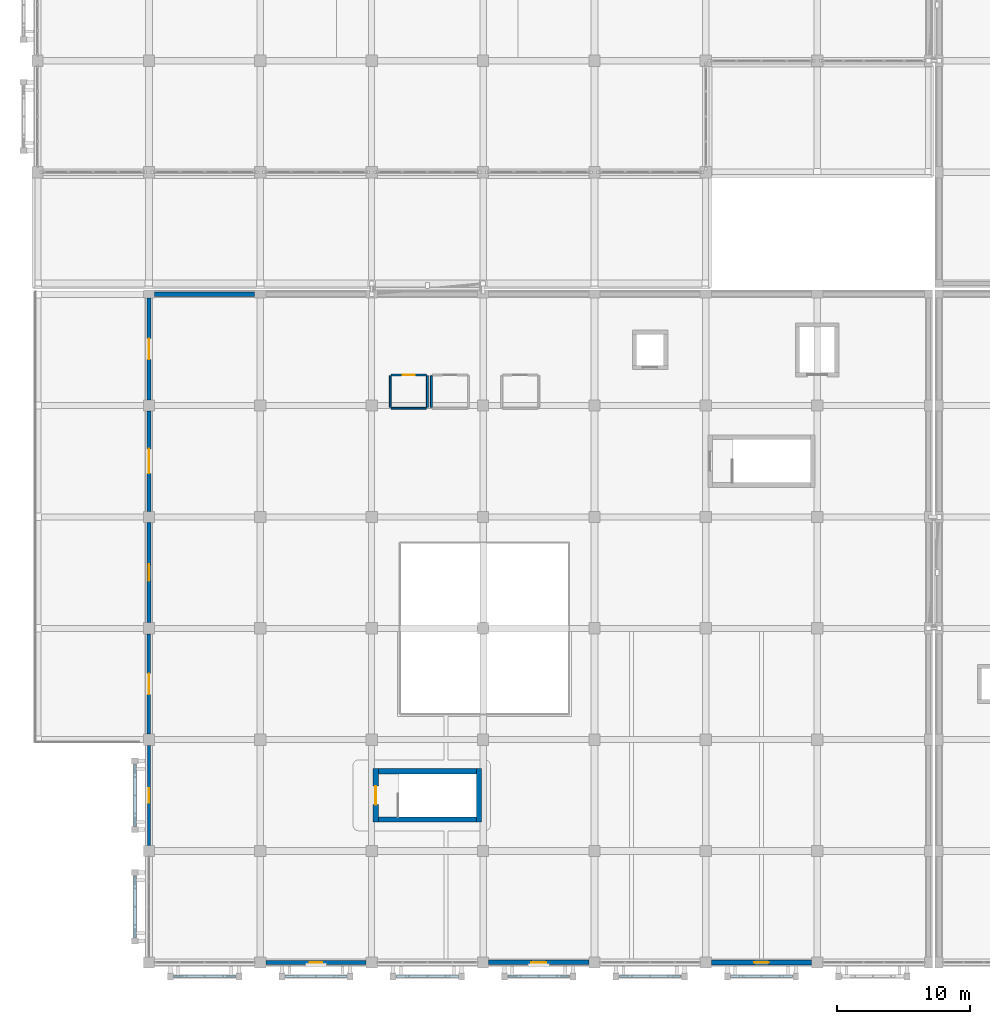
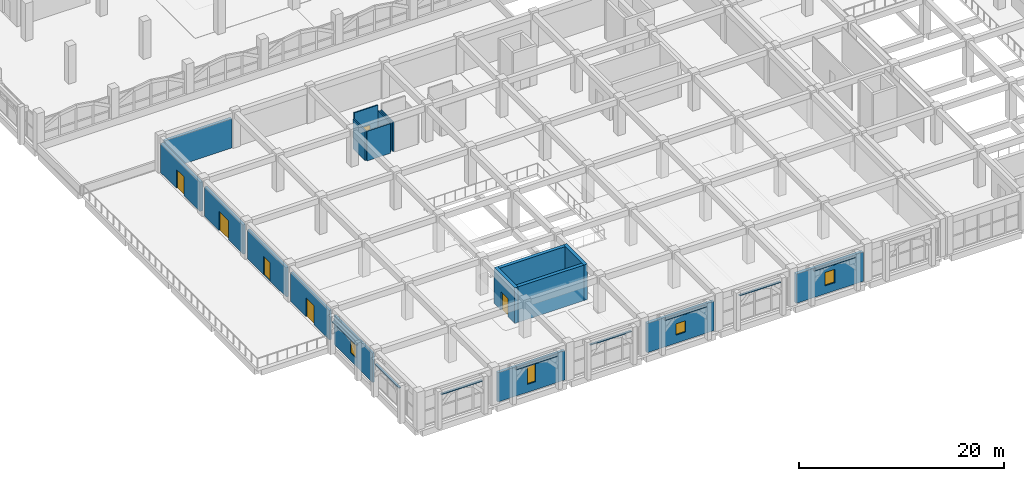
# One storey, part 108 of 129: 26 walls, 6 doors, 4 windows, 10 openings.
"""IFC4 building model written with IfcOpenShell, lengths in metres."""

from ifc_helpers import new_model, si_unit, direction, frame, frame_2d, origin, place, context, subcontext, project, spatial, rectangle, extrude, material, layer, layer_set, type_object, element, fill, save


model = new_model("IFC4")

# Units and contexts
model_context = context("Model", 3, precision=1e-05, world=origin(), true_north=direction((0.0, 1.0)))
body_context = subcontext(model_context, "Body", "Model", "MODEL_VIEW")
ifc_project = project(units=[si_unit("LENGTHUNIT", "METRE"), si_unit("AREAUNIT", "SQUARE_METRE"), si_unit("VOLUMEUNIT", "CUBIC_METRE"), si_unit("PLANEANGLEUNIT", "RADIAN"), si_unit("MASSUNIT", "GRAM", prefix="KILO")], contexts=[model_context])

# Site, building, storey
site_placement = place(None, origin())
site = spatial("IfcSite", under=ifc_project, at=site_placement, CompositionType="ELEMENT")
building_placement = place(site_placement, origin())
building = spatial("IfcBuilding", under=site, at=building_placement, Name="Xazarin Passage Department Store", CompositionType="ELEMENT")
storey_placement = place(building_placement, frame((0.0, 0.0, 9.89990234375)))
storey = spatial("IfcBuildingStorey", under=building, at=storey_placement, Name="L02", CompositionType="ELEMENT", Elevation=9.89990234375)

# Wall, opening, window
ifc_material_1 = material(Name="Precast concrete C40/50", Category="concrete")
ifc_layer_1 = layer(ifc_material_1, 0.239990234375)
ifc_layer_set_1 = layer_set([ifc_layer_1], Name="Precast concrete C40/50")
wall_type_1 = type_object("IfcWallType", Name="ARC-W-EXT240", PredefinedType="SOLIDWALL", material=ifc_layer_set_1)
wall_1_placement = place(storey_placement, frame((8.39990234375, 8.824951171875, 0.0), z_axis=(0.0, 0.0, 1.0), x_axis=(0.0, 1.0, 0.0)))
wall_1 = element("IfcWall", 1, at=wall_1_placement, inside=storey, type_object=wall_type_1, Name="L02 V3 Exterior Wall 236", PredefinedType="SOLIDWALL", context=body_context, shape_type="SweptSolid", body=[
    extrude(rectangle(XDim=7.550048828125, YDim=0.239990234375, at=frame_2d((3.77490234375, 0.0))), origin(), (0.0, 0.0, 1.0), 3.489990234375),
])
opening_1_placement = place(wall_1_placement, frame((3.22509765625, 0.0, 0.949951171875)))
opening_1 = element("IfcOpeningElement", 2, at=opening_1_placement, cuts=wall_1, Name="Opening W07", PredefinedType="OPENING", context=body_context, shape_type="SweptSolid", body=[
    extrude(rectangle(XDim=1.10009765625, YDim=1.85009765625, at=frame_2d((0.550048828125, 0.925048828125))), frame((0.0, 0.1298828125, 0.0), z_axis=(0.0, -1.0, 0.0), x_axis=(1.0, 0.0, 0.0)), (0.0, 0.0, 1.0), 0.260009765625),
])
ifc_material_2 = material(Name="Low-E laminated safety glass", Category="glass")
window_type_1 = type_object("IfcWindowType", Name="ARC-WIN-W07", PartitioningType="SINGLE_PANEL", PredefinedType="WINDOW", material=ifc_material_2)
window_1_placement = place(opening_1_placement, origin())
window_1 = element("IfcWindow", 3, at=window_1_placement, inside=storey, type_object=window_type_1, Name="L02 V3 Facade Window 0055", OverallHeight=1.85009765625, OverallWidth=1.10009765625, PartitioningType="SINGLE_PANEL", PredefinedType="WINDOW", context=body_context, shape_type="SweptSolid", body=[
    extrude(rectangle(XDim=1.10009765625, YDim=1.85009765625, at=frame_2d((0.550048828125, 0.925048828125))), frame((0.0, 0.030029296875, 0.0), z_axis=(0.0, -1.0, 0.0), x_axis=(1.0, 0.0, 0.0)), (0.0, 0.0, 1.0), 0.06005859375),
])
fill(opening_1, window_1)

# Wall, opening, door
ifc_layer_2 = layer(ifc_material_1, 0.260009765625)
ifc_layer_set_2 = layer_set([ifc_layer_2], Name="Precast concrete C40/50")
wall_type_2 = type_object("IfcWallType", Name="ARC-W-EXT260", PredefinedType="SOLIDWALL", material=ifc_layer_set_2)
wall_2_placement = place(storey_placement, frame((8.39990234375, 17.22509765625, 0.0), z_axis=(0.0, 0.0, 1.0), x_axis=(0.0, 1.0, 0.0)))
wall_2 = element("IfcWall", 4, at=wall_2_placement, inside=storey, type_object=wall_type_2, Name="L02 V3 Exterior Wall 237", PredefinedType="SOLIDWALL", context=body_context, shape_type="SweptSolid", body=[
    extrude(rectangle(XDim=7.5498046875, YDim=0.260009765625, at=frame_2d((3.77490234375, 0.0))), origin(), (0.0, 0.0, 1.0), 3.489990234375),
])
opening_2_placement = place(wall_2_placement, frame((3.0, 0.0, 0.0)))
opening_2 = element("IfcOpeningElement", 5, at=opening_2_placement, cuts=wall_2, Name="Opening TD2", PredefinedType="OPENING", context=body_context, shape_type="SweptSolid", body=[
    extrude(rectangle(XDim=1.550048828125, YDim=2.25, at=frame_2d((0.77490234375, 1.125))), frame((0.0, 0.139892578125, 0.0), z_axis=(0.0, -1.0, 0.0), x_axis=(1.0, 0.0, 0.0)), (0.0, 0.0, 1.0), 0.280029296875),
])
ifc_material_3 = material(Name="Bronze anodised aluminium", Category="aluminium")
door_type_1 = type_object("IfcDoorType", Name="ARC-DR-TER155", OperationType="NOTDEFINED", PredefinedType="DOOR", material=ifc_material_3)
door_1_placement = place(opening_2_placement, origin())
door_1 = element("IfcDoor", 6, at=door_1_placement, inside=storey, type_object=door_type_1, Name="DR-TER-L02-020", OperationType="SINGLE_SWING_LEFT", OverallHeight=2.25, OverallWidth=1.550048828125, PredefinedType="DOOR", context=body_context, shape_type="SweptSolid", body=[
    extrude(rectangle(XDim=1.550048828125, YDim=2.25, at=frame_2d((0.77490234375, 1.125))), frame((0.0, 0.02490234375, 0.0), z_axis=(0.0, -1.0, 0.0), x_axis=(1.0, 0.0, 0.0)), (0.0, 0.0, 1.0), 0.050048828125),
])
fill(opening_2, door_1)

ifc_layer_3 = layer(ifc_material_1, 0.280029296875)
ifc_layer_set_3 = layer_set([ifc_layer_3], Name="Precast concrete C40/50")
wall_type_3 = type_object("IfcWallType", Name="ARC-W-EXT280", PredefinedType="SOLIDWALL", material=ifc_layer_set_3)
wall_3_placement = place(storey_placement, frame((8.39990234375, 25.625, 0.0), z_axis=(0.0, 0.0, 1.0), x_axis=(0.0, 1.0, 0.0)))
wall_3 = element("IfcWall", 7, at=wall_3_placement, inside=storey, type_object=wall_type_3, Name="L02 V3 Exterior Wall 238", PredefinedType="SOLIDWALL", context=body_context, shape_type="SweptSolid", body=[
    extrude(rectangle(XDim=7.550048828125, YDim=0.280029296875, at=frame_2d((3.77490234375, 0.0))), origin(), (0.0, 0.0, 1.0), 3.489990234375),
])
opening_3_placement = place(wall_3_placement, frame((3.14990234375, 0.0, 0.0)))
opening_3 = element("IfcOpeningElement", 8, at=opening_3_placement, cuts=wall_3, Name="Opening TD3", PredefinedType="OPENING", context=body_context, shape_type="SweptSolid", body=[
    extrude(rectangle(XDim=1.25, YDim=2.199951171875, at=frame_2d((0.625, 1.10009765625))), frame((0.0, 0.14990234375, 0.0), z_axis=(0.0, -1.0, 0.0), x_axis=(1.0, 0.0, 0.0)), (0.0, 0.0, 1.0), 0.300048828125),
])
door_type_2 = type_object("IfcDoorType", Name="ARC-DR-TER125", OperationType="NOTDEFINED", PredefinedType="DOOR", material=ifc_material_3)
door_2_placement = place(opening_3_placement, origin())
door_2 = element("IfcDoor", 9, at=door_2_placement, inside=storey, type_object=door_type_2, Name="DR-TER-L02-021", OperationType="SINGLE_SWING_RIGHT", OverallHeight=2.199951171875, OverallWidth=1.25, PredefinedType="DOOR", context=body_context, shape_type="SweptSolid", body=[
    extrude(rectangle(XDim=1.25, YDim=2.199951171875, at=frame_2d((0.625, 1.10009765625))), frame((0.0, 0.02490234375, 0.0), z_axis=(0.0, -1.0, 0.0), x_axis=(1.0, 0.0, 0.0)), (0.0, 0.0, 1.0), 0.050048828125),
])
fill(opening_3, door_2)

ifc_layer_4 = layer(ifc_material_1, 0.300048828125)
ifc_layer_set_4 = layer_set([ifc_layer_4], Name="Precast concrete C40/50")
wall_type_4 = type_object("IfcWallType", Name="ARC-W-EXT300", PredefinedType="SOLIDWALL", material=ifc_layer_set_4)
wall_4_placement = place(storey_placement, frame((8.39990234375, 34.02490234375, 0.0), z_axis=(0.0, 0.0, 1.0), x_axis=(0.0, 1.0, 0.0)))
wall_4 = element("IfcWall", 10, at=wall_4_placement, inside=storey, type_object=wall_type_4, Name="L02 V3 Exterior Wall 239", PredefinedType="SOLIDWALL", context=body_context, shape_type="SweptSolid", body=[
    extrude(rectangle(XDim=7.550048828125, YDim=0.300048828125, at=frame_2d((3.77490234375, 0.0))), origin(), (0.0, 0.0, 1.0), 3.489990234375),
])
opening_4_placement = place(wall_4_placement, frame((2.85009765625, 0.0, 0.0)))
opening_4 = element("IfcOpeningElement", 11, at=opening_4_placement, cuts=wall_4, Name="Opening TD1", PredefinedType="OPENING", context=body_context, shape_type="SweptSolid", body=[
    extrude(rectangle(XDim=1.85009765625, YDim=2.300048828125, at=frame_2d((0.925048828125, 1.14990234375))), frame((0.0, 0.159912109375, 0.0), z_axis=(0.0, -1.0, 0.0), x_axis=(1.0, 0.0, 0.0)), (0.0, 0.0, 1.0), 0.320068359375),
])
door_type_3 = type_object("IfcDoorType", Name="ARC-DR-TER185", OperationType="NOTDEFINED", PredefinedType="DOOR", material=ifc_material_3)
door_3_placement = place(opening_4_placement, origin())
door_3 = element("IfcDoor", 12, at=door_3_placement, inside=storey, type_object=door_type_3, Name="DR-TER-L02-022", OperationType="DOUBLE_DOOR_SINGLE_SWING", OverallHeight=2.300048828125, OverallWidth=1.85009765625, PredefinedType="DOOR", context=body_context, shape_type="SweptSolid", body=[
    extrude(rectangle(XDim=1.85009765625, YDim=2.300048828125, at=frame_2d((0.925048828125, 1.14990234375))), frame((0.0, 0.02490234375, 0.0), z_axis=(0.0, -1.0, 0.0), x_axis=(1.0, 0.0, 0.0)), (0.0, 0.0, 1.0), 0.050048828125),
])
fill(opening_4, door_3)

# Wall, opening, window
ifc_material_4 = material(Name="Buff Baku clay brick", Category="masonry")
ifc_layer_5 = layer(ifc_material_4, 0.320068359375)
ifc_layer_set_5 = layer_set([ifc_layer_5], Name="Buff Baku clay brick")
wall_type_5 = type_object("IfcWallType", Name="ARC-W-EXT320", PredefinedType="SOLIDWALL", material=ifc_layer_set_5)
wall_5_placement = place(storey_placement, frame((17.22509765625, 0.0, 0.0), z_axis=(0.0, 0.0, 1.0), x_axis=(1.0, 0.0, 0.0)))
wall_5 = element("IfcWall", 13, at=wall_5_placement, inside=storey, type_object=wall_type_5, Name="L02 V3 Exterior Wall 226", PredefinedType="SOLIDWALL", context=body_context, shape_type="SweptSolid", body=[
    extrude(rectangle(XDim=7.5498046875, YDim=0.320068359375, at=frame_2d((3.77490234375, 0.0))), origin(), (0.0, 0.0, 1.0), 3.489990234375),
])
opening_5_placement = place(wall_5_placement, frame((3.300048828125, 0.0, 0.949951171875)))
opening_5 = element("IfcOpeningElement", 14, at=opening_5_placement, cuts=wall_5, Name="Opening W04", PredefinedType="OPENING", context=body_context, shape_type="SweptSolid", body=[
    extrude(rectangle(XDim=0.949951171875, YDim=2.10009765625, at=frame_2d((0.47509765625, 1.050048828125))), frame((0.0, 0.169921875, 0.0), z_axis=(0.0, -1.0, 0.0), x_axis=(1.0, 0.0, 0.0)), (0.0, 0.0, 1.0), 0.340087890625),
])
window_type_2 = type_object("IfcWindowType", Name="ARC-WIN-W04", PartitioningType="SINGLE_PANEL", PredefinedType="WINDOW", material=ifc_material_2)
window_2_placement = place(opening_5_placement, origin())
window_2 = element("IfcWindow", 15, at=window_2_placement, inside=storey, type_object=window_type_2, Name="L02 V3 Facade Window 0052", OverallHeight=2.10009765625, OverallWidth=0.949951171875, PartitioningType="SINGLE_PANEL", PredefinedType="WINDOW", context=body_context, shape_type="SweptSolid", body=[
    extrude(rectangle(XDim=0.949951171875, YDim=2.10009765625, at=frame_2d((0.47509765625, 1.050048828125))), frame((0.0, 0.030029296875, 0.0), z_axis=(0.0, -1.0, 0.0), x_axis=(1.0, 0.0, 0.0)), (0.0, 0.0, 1.0), 0.06005859375),
])
fill(opening_5, window_2)

# Wall
wall_6_placement = place(storey_placement, frame((8.824951171875, 50.39990234375, 0.0), z_axis=(0.0, 0.0, 1.0), x_axis=(1.0, 0.0, 0.0)))
element("IfcWall", 16, at=wall_6_placement, inside=storey, type_object=wall_type_5, Name="L02 V3 Exterior Wall 229", PredefinedType="SOLIDWALL", context=body_context, shape_type="SweptSolid", body=[
    extrude(rectangle(XDim=7.550048828125, YDim=0.320068359375, at=frame_2d((3.77490234375, 0.0))), origin(), (0.0, 0.0, 1.0), 3.489990234375),
])

# Wall, opening, door
wall_7_placement = place(storey_placement, frame((8.39990234375, 42.425048828125, 0.0), z_axis=(0.0, 0.0, 1.0), x_axis=(0.0, 1.0, 0.0)))
wall_7 = element("IfcWall", 17, at=wall_7_placement, inside=storey, type_object=wall_type_5, Name="L02 V3 Exterior Wall 240", PredefinedType="SOLIDWALL", context=body_context, shape_type="SweptSolid", body=[
    extrude(rectangle(XDim=7.675048828125, YDim=0.320068359375, at=frame_2d((3.83740234375, 0.0))), origin(), (0.0, 0.0, 1.0), 3.489990234375),
])
opening_6_placement = place(wall_7_placement, frame((3.0625, 0.0, 0.0)))
opening_6 = element("IfcOpeningElement", 18, at=opening_6_placement, cuts=wall_7, Name="Opening TD2", PredefinedType="OPENING", context=body_context, shape_type="SweptSolid", body=[
    extrude(rectangle(XDim=1.550048828125, YDim=2.25, at=frame_2d((0.77490234375, 1.125))), frame((0.0, 0.169921875, 0.0), z_axis=(0.0, -1.0, 0.0), x_axis=(1.0, 0.0, 0.0)), (0.0, 0.0, 1.0), 0.340087890625),
])
door_4_placement = place(opening_6_placement, origin())
door_4 = element("IfcDoor", 19, at=door_4_placement, inside=storey, type_object=door_type_1, Name="DR-TER-L02-023", OperationType="SINGLE_SWING_RIGHT", OverallHeight=2.25, OverallWidth=1.550048828125, PredefinedType="DOOR", context=body_context, shape_type="SweptSolid", body=[
    extrude(rectangle(XDim=1.550048828125, YDim=2.25, at=frame_2d((0.77490234375, 1.125))), frame((0.0, 0.02490234375, 0.0), z_axis=(0.0, -1.0, 0.0), x_axis=(1.0, 0.0, 0.0)), (0.0, 0.0, 1.0), 0.050048828125),
])
fill(opening_6, door_4)

# Wall, opening, window
ifc_material_5 = material(Name="Absheron limestone cladding", Category="masonry")
ifc_layer_6 = layer(ifc_material_5, 0.340087890625)
ifc_layer_set_6 = layer_set([ifc_layer_6], Name="Absheron limestone cladding")
wall_type_6 = type_object("IfcWallType", Name="ARC-W-EXT340", PredefinedType="SOLIDWALL", material=ifc_layer_set_6)
wall_8_placement = place(storey_placement, frame((34.02490234375, 0.0, 0.0), z_axis=(0.0, 0.0, 1.0), x_axis=(1.0, 0.0, 0.0)))
wall_8 = element("IfcWall", 20, at=wall_8_placement, inside=storey, type_object=wall_type_6, Name="L02 V3 Exterior Wall 227", PredefinedType="SOLIDWALL", context=body_context, shape_type="SweptSolid", body=[
    extrude(rectangle(XDim=7.550048828125, YDim=0.340087890625, at=frame_2d((3.77490234375, 0.0))), origin(), (0.0, 0.0, 1.0), 3.489990234375),
])
opening_7_placement = place(wall_8_placement, frame((3.22509765625, 0.0, 0.949951171875)))
opening_7 = element("IfcOpeningElement", 21, at=opening_7_placement, cuts=wall_8, Name="Opening W05", PredefinedType="OPENING", context=body_context, shape_type="SweptSolid", body=[
    extrude(rectangle(XDim=1.10009765625, YDim=1.35009765625, at=frame_2d((0.550048828125, 0.675048828125))), frame((0.0, 0.179931640625, 0.0), z_axis=(0.0, -1.0, 0.0), x_axis=(1.0, 0.0, 0.0)), (0.0, 0.0, 1.0), 0.360107421875),
])
window_type_3 = type_object("IfcWindowType", Name="ARC-WIN-W05", PartitioningType="SINGLE_PANEL", PredefinedType="WINDOW", material=ifc_material_2)
window_3_placement = place(opening_7_placement, origin())
window_3 = element("IfcWindow", 22, at=window_3_placement, inside=storey, type_object=window_type_3, Name="L02 V3 Facade Window 0053", OverallHeight=1.35009765625, OverallWidth=1.10009765625, PartitioningType="SINGLE_PANEL", PredefinedType="WINDOW", context=body_context, shape_type="SweptSolid", body=[
    extrude(rectangle(XDim=1.10009765625, YDim=1.35009765625, at=frame_2d((0.550048828125, 0.675048828125))), frame((0.0, 0.030029296875, 0.0), z_axis=(0.0, -1.0, 0.0), x_axis=(1.0, 0.0, 0.0)), (0.0, 0.0, 1.0), 0.06005859375),
])
fill(opening_7, window_3)

ifc_layer_7 = layer(ifc_material_5, 0.360107421875)
ifc_layer_set_7 = layer_set([ifc_layer_7], Name="Absheron limestone cladding")
wall_type_7 = type_object("IfcWallType", Name="ARC-W-EXT360", PredefinedType="SOLIDWALL", material=ifc_layer_set_7)
wall_9_placement = place(storey_placement, frame((50.824951171875, 0.0, 0.0), z_axis=(0.0, 0.0, 1.0), x_axis=(1.0, 0.0, 0.0)))
wall_9 = element("IfcWall", 23, at=wall_9_placement, inside=storey, type_object=wall_type_7, Name="L02 V3 Exterior Wall 228", PredefinedType="SOLIDWALL", context=body_context, shape_type="SweptSolid", body=[
    extrude(rectangle(XDim=7.550048828125, YDim=0.360107421875, at=frame_2d((3.77490234375, 0.0))), origin(), (0.0, 0.0, 1.0), 3.489990234375),
])
opening_8_placement = place(wall_9_placement, frame((3.22509765625, 0.0, 0.949951171875)))
opening_8 = element("IfcOpeningElement", 24, at=opening_8_placement, cuts=wall_9, Name="Opening W06", PredefinedType="OPENING", context=body_context, shape_type="SweptSolid", body=[
    extrude(rectangle(XDim=1.10009765625, YDim=1.60009765625, at=frame_2d((0.550048828125, 0.800048828125))), frame((0.0, 0.18994140625, 0.0), z_axis=(0.0, -1.0, 0.0), x_axis=(1.0, 0.0, 0.0)), (0.0, 0.0, 1.0), 0.380126953125),
])
window_type_4 = type_object("IfcWindowType", Name="ARC-WIN-W06", PartitioningType="SINGLE_PANEL", PredefinedType="WINDOW", material=ifc_material_2)
window_4_placement = place(opening_8_placement, origin())
window_4 = element("IfcWindow", 25, at=window_4_placement, inside=storey, type_object=window_type_4, Name="L02 V3 Facade Window 0054", OverallHeight=1.60009765625, OverallWidth=1.10009765625, PartitioningType="SINGLE_PANEL", PredefinedType="WINDOW", context=body_context, shape_type="SweptSolid", body=[
    extrude(rectangle(XDim=1.10009765625, YDim=1.60009765625, at=frame_2d((0.550048828125, 0.800048828125))), frame((0.0, 0.030029296875, 0.0), z_axis=(0.0, -1.0, 0.0), x_axis=(1.0, 0.0, 0.0)), (0.0, 0.0, 1.0), 0.06005859375),
])
fill(opening_8, window_4)

# Walls
ifc_layer_8 = layer(ifc_material_1, 0.2099609375)
ifc_layer_set_8 = layer_set([ifc_layer_8], Name="Precast concrete C40/50")
wall_type_8 = type_object("IfcWallType", Name="ARC-W-PAR210", PredefinedType="PARAPET", material=ifc_layer_set_8)
wall_10_placement = place(storey_placement, frame((10.27001953125, -1.050048828125, 3.880126953125), z_axis=(0.0, 0.0, 1.0), x_axis=(1.0, 0.0, 0.0)))
element("IfcWall", 26, at=wall_10_placement, inside=storey, type_object=wall_type_8, Name="L02 V3 Pierced-Arch Spandrel Lintel 0112", PredefinedType="PARAPET", context=body_context, shape_type="SweptSolid", body=[
    extrude(rectangle(XDim=4.659912109375, YDim=0.2099609375, at=frame_2d((2.330078125, 0.0))), origin(), (0.0, 0.0, 1.0), 0.119873046875),
])
wall_11_placement = place(storey_placement, frame((18.669921875, -1.050048828125, 3.880126953125), z_axis=(0.0, 0.0, 1.0), x_axis=(1.0, 0.0, 0.0)))
element("IfcWall", 27, at=wall_11_placement, inside=storey, type_object=wall_type_8, Name="L02 V3 Pierced-Arch Spandrel Lintel 0115", PredefinedType="PARAPET", context=body_context, shape_type="SweptSolid", body=[
    extrude(rectangle(XDim=4.66015625, YDim=0.2099609375, at=frame_2d((2.330078125, 0.0))), origin(), (0.0, 0.0, 1.0), 0.119873046875),
])
for number, where, z_axis, x_axis, name in (
    (28, (27.070068359375, -1.050048828125, 3.880126953125), (0.0, 0.0, 1.0), (1.0, 0.0, 0.0), "L02 V3 Pierced-Arch Spandrel Lintel 0118"),
    (29, (35.469970703125, -1.050048828125, 3.880126953125), (0.0, 0.0, 1.0), (1.0, 0.0, 0.0), "L02 V3 Pierced-Arch Spandrel Lintel 0121"),
    (30, (43.8701171875, -1.050048828125, 3.880126953125), (0.0, 0.0, 1.0), (1.0, 0.0, 0.0), "L02 V3 Pierced-Arch Spandrel Lintel 0124"),
    (31, (52.27001953125, -1.050048828125, 3.880126953125), (0.0, 0.0, 1.0), (1.0, 0.0, 0.0), "L02 V3 Pierced-Arch Spandrel Lintel 0127"),
    (32, (7.35009765625, 1.8701171875, 3.880126953125), (0.0, 0.0, 1.0), (0.0, 1.0, 0.0), "L02 V3 Pierced-Arch Spandrel Lintel 0141"),
    (33, (7.35009765625, 10.27001953125, 3.880126953125), (0.0, 0.0, 1.0), (0.0, 1.0, 0.0), "L02 V3 Pierced-Arch Spandrel Lintel 0144"),
):
    element("IfcWall", number, at=place(storey_placement, frame(where, z_axis=z_axis, x_axis=x_axis)), inside=storey, type_object=wall_type_8, Name=name, PredefinedType="PARAPET", context=body_context, shape_type="SweptSolid", body=[
        extrude(rectangle(XDim=4.659912109375, YDim=0.2099609375, at=frame_2d((2.330078125, 0.0))), origin(), (0.0, 0.0, 1.0), 0.119873046875),
    ])

# Wall, opening, door
ifc_material_6 = material(Name="Moisture-resistant masonry partition", Category="masonry")
ifc_layer_9 = layer(ifc_material_6, 0.139892578125)
ifc_layer_set_9 = layer_set([ifc_layer_9], Name="Moisture-resistant masonry partition")
wall_type_9 = type_object("IfcWallType", Name="ARC-W-PRT140", PredefinedType="PARTITIONING", material=ifc_layer_set_9)
wall_12_placement = place(storey_placement, frame((26.669921875, 44.300048828125, 0.0), z_axis=(0.0, 0.0, 1.0), x_axis=(1.0, 0.0, 0.0)))
wall_12 = element("IfcWall", 34, at=wall_12_placement, inside=storey, type_object=wall_type_9, Name="L02 Public Male WC 0176", PredefinedType="PARTITIONING", context=body_context, shape_type="SweptSolid", body=[
    extrude(rectangle(XDim=2.66015625, YDim=0.139892578125, at=frame_2d((1.330078125, 0.0))), origin(), (0.0, 0.0, 1.0), 4.2001953125),
])
opening_9_placement = place(wall_12_placement, frame((0.8701171875, 0.0, 0.0)))
opening_9 = element("IfcOpeningElement", 35, at=opening_9_placement, cuts=wall_12, Name="Opening ID1", PredefinedType="OPENING", context=body_context, shape_type="SweptSolid", body=[
    extrude(rectangle(XDim=0.919921875, YDim=2.1201171875, at=frame_2d((0.4599609375, 1.06005859375))), frame((0.0, 0.079833984375, 0.0), z_axis=(0.0, -1.0, 0.0), x_axis=(1.0, 0.0, 0.0)), (0.0, 0.0, 1.0), 0.159912109375),
])
ifc_material_7 = material(Name="Timber acoustic leaf", Category="wood")
door_type_4 = type_object("IfcDoorType", Name="ARC-DR-WC092", OperationType="NOTDEFINED", PredefinedType="DOOR", material=ifc_material_7)
door_5_placement = place(opening_9_placement, origin())
door_5 = element("IfcDoor", 36, at=door_5_placement, inside=storey, type_object=door_type_4, Name="DR-INT-L02-0176", OperationType="SINGLE_SWING_LEFT", OverallHeight=2.1201171875, OverallWidth=0.919921875, PredefinedType="DOOR", context=body_context, shape_type="SweptSolid", body=[
    extrude(rectangle(XDim=0.919921875, YDim=2.1201171875, at=frame_2d((0.4599609375, 1.06005859375))), frame((0.0, 0.02490234375, 0.0), z_axis=(0.0, -1.0, 0.0), x_axis=(1.0, 0.0, 0.0)), (0.0, 0.0, 1.0), 0.050048828125),
])
fill(opening_9, door_5)

# Walls
wall_13_placement = place(storey_placement, frame((26.669921875, 41.800048828125, 0.0), z_axis=(0.0, 0.0, 1.0), x_axis=(1.0, 0.0, 0.0)))
element("IfcWall", 37, at=wall_13_placement, inside=storey, type_object=wall_type_9, Name="L02 Public Male WC Back Wall 0177", PredefinedType="PARTITIONING", context=body_context, shape_type="SweptSolid", body=[
    extrude(rectangle(XDim=2.66015625, YDim=0.139892578125, at=frame_2d((1.330078125, 0.0))), origin(), (0.0, 0.0, 1.0), 3.5400390625),
])
for number, where, z_axis, x_axis, name in (
    (38, (26.60009765625, 41.8701171875, 0.0), (0.0, 0.0, 1.0), (0.0, 1.0, 0.0), "L02 Public Male WC Side Wall 0178"),
    (39, (29.39990234375, 41.8701171875, 0.0), (0.0, 0.0, 1.0), (0.0, 1.0, 0.0), "L02 Public Male WC Side Wall 0179"),
    (40, (29.699951171875, 41.8701171875, 0.0), (0.0, 0.0, 1.0), (0.0, 1.0, 0.0), "L02 Public Female WC Side Wall 0182"),
):
    element("IfcWall", number, at=place(storey_placement, frame(where, z_axis=z_axis, x_axis=x_axis)), inside=storey, type_object=wall_type_9, Name=name, PredefinedType="PARTITIONING", context=body_context, shape_type="SweptSolid", body=[
        extrude(rectangle(XDim=2.35986328125, YDim=0.139892578125, at=frame_2d((1.179931640625, 0.0))), origin(), (0.0, 0.0, 1.0), 3.5400390625),
    ])

# Wall, opening, door
ifc_material_8 = material(Name="Concrete C40/50", Category="concrete")
ifc_layer_10 = layer(ifc_material_8, 0.389892578125)
ifc_layer_set_10 = layer_set([ifc_layer_10], Name="Concrete C40/50")
wall_type_10 = type_object("IfcWallType", Name="STR-W-SHR390", PredefinedType="SHEAR", material=ifc_layer_set_10)
wall_14_placement = place(storey_placement, frame((25.5048828125, 14.610107421875, 0.0), z_axis=(0.0, 0.0, 1.0), x_axis=(0.0, -1.0, 0.0)))
wall_14 = element("IfcWall", 41, at=wall_14_placement, inside=storey, type_object=wall_type_10, Name="L02 Core K8 West Shear Wall", PredefinedType="SHEAR", context=body_context, shape_type="SweptSolid", body=[
    extrude(rectangle(XDim=4.02001953125, YDim=0.389892578125, at=frame_2d((2.010009765625, 0.0))), origin(), (0.0, 0.0, 1.0), 4.239990234375),
])
opening_10_placement = place(wall_14_placement, frame((1.31005859375, 0.0, 0.0)))
opening_10 = element("IfcOpeningElement", 42, at=opening_10_placement, cuts=wall_14, Name="Opening FD2", PredefinedType="OPENING", context=body_context, shape_type="SweptSolid", body=[
    extrude(rectangle(XDim=1.39990234375, YDim=2.14990234375, at=frame_2d((0.699951171875, 1.074951171875))), frame((0.0, 0.204833984375, 0.0), z_axis=(0.0, -1.0, 0.0), x_axis=(1.0, 0.0, 0.0)), (0.0, 0.0, 1.0), 0.409912109375),
])
ifc_material_9 = material(Name="Steel S355", Category="steel")
door_type_5 = type_object("IfcDoorType", Name="ARC-DR-STR140", OperationType="NOTDEFINED", PredefinedType="DOOR", material=ifc_material_9)
door_6_placement = place(opening_10_placement, origin())
door_6 = element("IfcDoor", 43, at=door_6_placement, inside=storey, type_object=door_type_5, Name="DR-STR-K8-L02", OperationType="SINGLE_SWING_RIGHT", OverallHeight=2.14990234375, OverallWidth=1.39990234375, PredefinedType="DOOR", context=body_context, shape_type="SweptSolid", body=[
    extrude(rectangle(XDim=1.39990234375, YDim=2.14990234375, at=frame_2d((0.699951171875, 1.074951171875))), frame((0.0, 0.02490234375, 0.0), z_axis=(0.0, -1.0, 0.0), x_axis=(1.0, 0.0, 0.0)), (0.0, 0.0, 1.0), 0.050048828125),
])
fill(opening_10, door_6)

# Walls
wall_15_placement = place(storey_placement, frame((33.294921875, 10.590087890625, 0.0), z_axis=(0.0, 0.0, 1.0), x_axis=(0.0, 1.0, 0.0)))
element("IfcWall", 44, at=wall_15_placement, inside=storey, type_object=wall_type_10, Name="L02 Core K8 East Shear Wall", PredefinedType="SHEAR", context=body_context, shape_type="SweptSolid", body=[
    extrude(rectangle(XDim=4.02001953125, YDim=0.389892578125, at=frame_2d((2.010009765625, 0.0))), origin(), (0.0, 0.0, 1.0), 4.239990234375),
])
for number, where, z_axis, x_axis, name in (
    (45, (25.699951171875, 10.784912109375, 0.0), (0.0, 0.0, 1.0), (1.0, 0.0, 0.0), "L02 Core K8 South Shear Wall"),
    (46, (25.699951171875, 14.4150390625, 0.0), (0.0, 0.0, 1.0), (1.0, 0.0, 0.0), "L02 Core K8 North Shear Wall"),
):
    element("IfcWall", number, at=place(storey_placement, frame(where, z_axis=z_axis, x_axis=x_axis)), inside=storey, type_object=wall_type_10, Name=name, PredefinedType="SHEAR", context=body_context, shape_type="SweptSolid", body=[
        extrude(rectangle(XDim=7.400146484375, YDim=0.389892578125, at=frame_2d((3.7001953125, 0.0))), origin(), (0.0, 0.0, 1.0), 4.239990234375),
    ])

save(model, "model.ifc")
